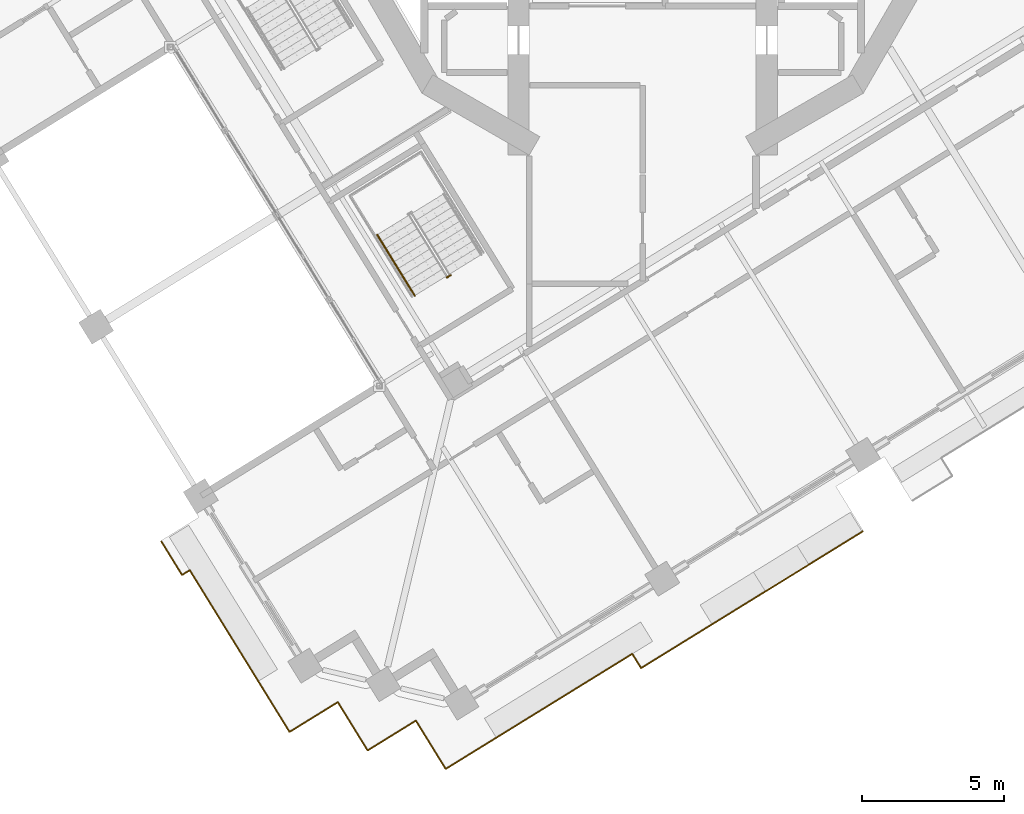
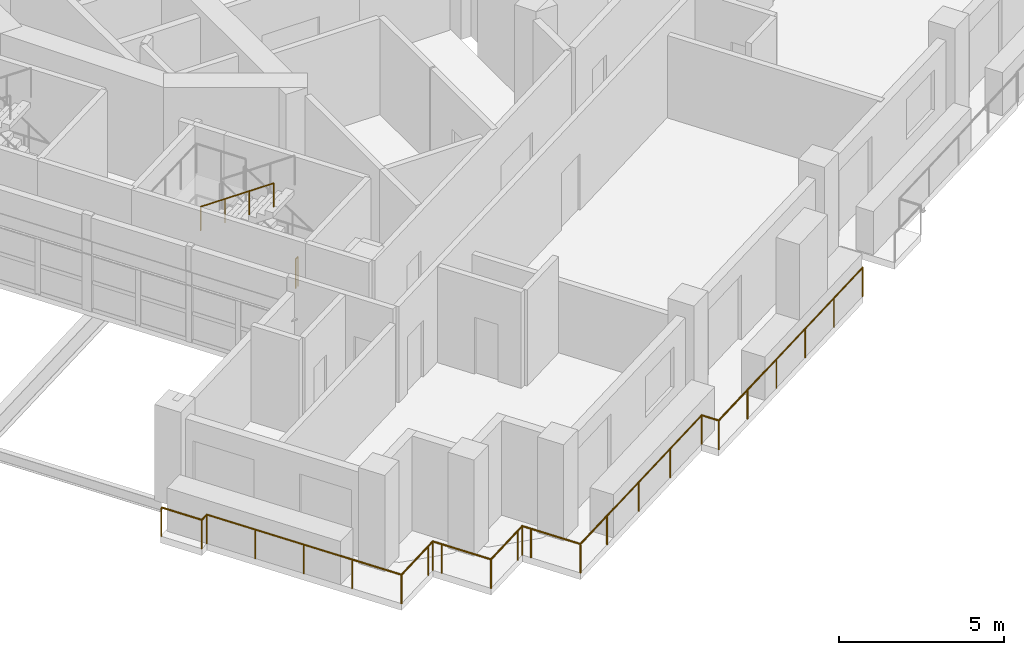
# One storey, part 15 of 22: 4 railings.
"""IFC4 building model written with IfcOpenShell, lengths in metres."""

from ifc_helpers import new_model, si_unit, direction, frame, origin, origin_2d, place, context, subcontext, project, spatial, circle, extrude, material, type_object, element, save


model = new_model("IFC4")

# Units and contexts
model_context = context("Model", 3, precision=1e-05, world=origin(), true_north=direction((0.0, 1.0)))
body_context = subcontext(model_context, "Body", "Model", "MODEL_VIEW")
ifc_project = project(units=[si_unit("LENGTHUNIT", "METRE"), si_unit("AREAUNIT", "SQUARE_METRE"), si_unit("VOLUMEUNIT", "CUBIC_METRE"), si_unit("PLANEANGLEUNIT", "RADIAN"), si_unit("MASSUNIT", "GRAM", prefix="KILO")], contexts=[model_context])

# Site, building, storey
site_placement = place(None, origin())
site = spatial("IfcSite", under=ifc_project, at=site_placement, CompositionType="ELEMENT")
building_placement = place(site_placement, origin())
building = spatial("IfcBuilding", under=site, at=building_placement, Name="Cantera Rosa Tower", CompositionType="ELEMENT")
storey_placement = place(building_placement, frame((0.0, 0.0, 166.60009765625)))
storey = spatial("IfcBuildingStorey", under=building, at=storey_placement, Name="L36", CompositionType="ELEMENT", Elevation=166.60009765625)

# Railings
ifc_material_1 = material(Name="Stainless steel and laminated glass", Category="steel")
railing_type_1 = type_object("IfcRailingType", Name="GUARD 1100", PredefinedType="BALUSTRADE", material=ifc_material_1)
railing_1_placement = place(storey_placement, frame((-10.74658203125, -29.245849609375, 0.0)))
element("IfcRailing", 1, at=railing_1_placement, inside=storey, type_object=railing_type_1, Name="GUARD L36-1", PredefinedType="BALUSTRADE", context=body_context, shape_type="SweptSolid", body=[
    extrude(circle(Radius=0.030029296875, at=origin_2d()), frame((0.0, 0.0, 1.070068359375), z_axis=(-0.85118298814, -0.524869051004, 0.0), x_axis=(0.524869051004, -0.85118298814, 0.0)), (0.0, 0.0, 1.0), 0.300048828125),
    extrude(circle(Radius=0.030029296875, at=origin_2d()), frame((-0.25537109375, -0.157470703125, 1.070068359375), z_axis=(-0.851066052965, -0.525058638144, 0.0), x_axis=(0.525058638144, -0.851066052965, 0.0)), (0.0, 0.0, 1.0), 1.699951171875),
    extrude(circle(Radius=0.030029296875, at=origin_2d()), frame((-1.7021484375, -1.050048828125, 1.070068359375), z_axis=(-0.524994468487, 0.851105638601, 0.0), x_axis=(-0.851105638601, -0.524994468487, 0.0)), (0.0, 0.0, 1.0), 1.7001953125),
    extrude(circle(Radius=0.030029296875, at=origin_2d()), frame((-2.5947265625, 0.39697265625, 1.070068359375), z_axis=(-0.524980117429, 0.851114490715, 0.0), x_axis=(-0.851114490715, -0.524980117429, 0.0)), (0.0, 0.0, 1.0), 4.998291015625),
    extrude(circle(Radius=0.030029296875, at=origin_2d()), frame((-5.21875, 4.651123046875, 1.070068359375), z_axis=(-0.851266981661, -0.524732813852, 0.0), x_axis=(0.524732813852, -0.851266981661, 0.0)), (0.0, 0.0, 1.0), 0.321533203125),
    extrude(circle(Radius=0.030029296875, at=origin_2d()), frame((-5.492431640625, 4.482421875, 1.070068359375), z_axis=(-0.524958614505, 0.851127753664, 0.0), x_axis=(-0.851127753664, -0.524958614505, 0.0)), (0.0, 0.0, 1.0), 1.391357421875),
    extrude(circle(Radius=0.02490234375, at=origin_2d()), origin(), (0.0, 0.0, 1.0), 1.0400390625),
    extrude(circle(Radius=0.02490234375, at=origin_2d()), frame((-0.25537109375, -0.157470703125, 0.0)), (0.0, 0.0, 1.0), 1.0400390625),
    extrude(circle(Radius=0.02490234375, at=origin_2d()), frame((-1.7021484375, -1.050048828125, 0.0)), (0.0, 0.0, 1.0), 1.0400390625),
    extrude(circle(Radius=0.02490234375, at=origin_2d()), frame((-2.5947265625, 0.39697265625, 0.0)), (0.0, 0.0, 1.0), 1.0400390625),
    extrude(circle(Radius=0.02490234375, at=origin_2d()), frame((-3.469482421875, 1.81494140625, 0.0)), (0.0, 0.0, 1.0), 1.0400390625),
    extrude(circle(Radius=0.02490234375, at=origin_2d()), frame((-4.343994140625, 3.233154296875, 0.0)), (0.0, 0.0, 1.0), 1.0400390625),
    extrude(circle(Radius=0.02490234375, at=origin_2d()), frame((-5.21875, 4.651123046875, 0.0)), (0.0, 0.0, 1.0), 1.0400390625),
    extrude(circle(Radius=0.02490234375, at=origin_2d()), frame((-5.492431640625, 4.482421875, 0.0)), (0.0, 0.0, 1.0), 1.0400390625),
    extrude(circle(Radius=0.02490234375, at=origin_2d()), frame((-6.222900390625, 5.666748046875, 0.0)), (0.0, 0.0, 1.0), 1.0400390625),
])
railing_2_placement = place(storey_placement, frame((7.758056640625, -23.225830078125, 0.0)))
element("IfcRailing", 2, at=railing_2_placement, inside=storey, type_object=railing_type_1, Name="GUARD L36-2", PredefinedType="BALUSTRADE", context=body_context, shape_type="SweptSolid", body=[
    extrude(circle(Radius=0.030029296875, at=origin_2d()), frame((0.0, 0.0, 1.070068359375), z_axis=(-0.851116410295, -0.524977005331, 0.0), x_axis=(0.524977005331, -0.851116410295, 0.0)), (0.0, 0.0, 1.0), 9.1806640625),
    extrude(circle(Radius=0.030029296875, at=origin_2d()), frame((-7.813720703125, -4.819580078125, 1.070068359375), z_axis=(-0.525272898225, 0.850933829619, 0.0), x_axis=(-0.850933829619, -0.525272898225, 0.0)), (0.0, 0.0, 1.0), 0.5908203125),
    extrude(circle(Radius=0.030029296875, at=origin_2d()), frame((-8.1240234375, -4.31689453125, 1.070068359375), z_axis=(-0.851111466066, -0.524985021054, 0.0), x_axis=(0.524985021054, -0.851111466066, 0.0)), (0.0, 0.0, 1.0), 6.029296875),
    extrude(circle(Radius=0.030029296875, at=origin_2d()), frame((-13.255615234375, -7.482177734375, 1.070068359375), z_axis=(-0.851130227454, -0.524954603669, 0.0), x_axis=(0.524954603669, -0.851130227454, 0.0)), (0.0, 0.0, 1.0), 1.699951171875),
    extrude(circle(Radius=0.030029296875, at=origin_2d()), frame((-14.702392578125, -8.37451171875, 1.070068359375), z_axis=(-0.525058638144, 0.851066052965, 0.0), x_axis=(-0.851066052965, -0.525058638144, 0.0)), (0.0, 0.0, 1.0), 1.699951171875),
    extrude(circle(Radius=0.030029296875, at=origin_2d()), frame((-15.594970703125, -6.927734375, 1.070068359375), z_axis=(-0.524869051004, 0.85118298814, 0.0), x_axis=(-0.85118298814, -0.524869051004, 0.0)), (0.0, 0.0, 1.0), 0.300048828125),
    extrude(circle(Radius=0.030029296875, at=origin_2d()), frame((-15.75244140625, -6.67236328125, 1.070068359375), z_axis=(-0.85118298814, -0.524869051004, 0.0), x_axis=(0.524869051004, -0.85118298814, 0.0)), (0.0, 0.0, 1.0), 0.300048828125),
    extrude(circle(Radius=0.030029296875, at=origin_2d()), frame((-16.0078125, -6.829833984375, 1.070068359375), z_axis=(-0.851066052965, -0.525058638144, 0.0), x_axis=(0.525058638144, -0.851066052965, 0.0)), (0.0, 0.0, 1.0), 1.699951171875),
    extrude(circle(Radius=0.030029296875, at=origin_2d()), frame((-17.45458984375, -7.722412109375, 1.070068359375), z_axis=(-0.524994468487, 0.851105638601, 0.0), x_axis=(-0.851105638601, -0.524994468487, 0.0)), (0.0, 0.0, 1.0), 1.7001953125),
    extrude(circle(Radius=0.030029296875, at=origin_2d()), frame((-18.34716796875, -6.275390625, 1.070068359375), z_axis=(-0.524869051004, 0.85118298814, 0.0), x_axis=(-0.85118298814, -0.524869051004, 0.0)), (0.0, 0.0, 1.0), 0.300048828125),
    extrude(circle(Radius=0.02490234375, at=origin_2d()), origin(), (0.0, 0.0, 1.0), 1.0400390625),
    extrude(circle(Radius=0.02490234375, at=origin_2d()), frame((-1.562744140625, -0.9638671875, 0.0)), (0.0, 0.0, 1.0), 1.0400390625),
    extrude(circle(Radius=0.02490234375, at=origin_2d()), frame((-3.12548828125, -1.927734375, 0.0)), (0.0, 0.0, 1.0), 1.0400390625),
    extrude(circle(Radius=0.02490234375, at=origin_2d()), frame((-4.688232421875, -2.891845703125, 0.0)), (0.0, 0.0, 1.0), 1.0400390625),
    extrude(circle(Radius=0.02490234375, at=origin_2d()), frame((-6.2509765625, -3.855712890625, 0.0)), (0.0, 0.0, 1.0), 1.0400390625),
    extrude(circle(Radius=0.02490234375, at=origin_2d()), frame((-7.813720703125, -4.819580078125, 0.0)), (0.0, 0.0, 1.0), 1.0400390625),
    extrude(circle(Radius=0.02490234375, at=origin_2d()), frame((-8.1240234375, -4.31689453125, 0.0)), (0.0, 0.0, 1.0), 1.0400390625),
    extrude(circle(Radius=0.02490234375, at=origin_2d()), frame((-9.83447265625, -5.3720703125, 0.0)), (0.0, 0.0, 1.0), 1.0400390625),
    extrude(circle(Radius=0.02490234375, at=origin_2d()), frame((-11.545166015625, -6.427001953125, 0.0)), (0.0, 0.0, 1.0), 1.0400390625),
    extrude(circle(Radius=0.02490234375, at=origin_2d()), frame((-13.255615234375, -7.482177734375, 0.0)), (0.0, 0.0, 1.0), 1.0400390625),
    extrude(circle(Radius=0.02490234375, at=origin_2d()), frame((-14.702392578125, -8.37451171875, 0.0)), (0.0, 0.0, 1.0), 1.0400390625),
    extrude(circle(Radius=0.02490234375, at=origin_2d()), frame((-15.594970703125, -6.927734375, 0.0)), (0.0, 0.0, 1.0), 1.0400390625),
    extrude(circle(Radius=0.02490234375, at=origin_2d()), frame((-15.75244140625, -6.67236328125, 0.0)), (0.0, 0.0, 1.0), 1.0400390625),
    extrude(circle(Radius=0.02490234375, at=origin_2d()), frame((-16.0078125, -6.829833984375, 0.0)), (0.0, 0.0, 1.0), 1.0400390625),
    extrude(circle(Radius=0.02490234375, at=origin_2d()), frame((-17.45458984375, -7.722412109375, 0.0)), (0.0, 0.0, 1.0), 1.0400390625),
    extrude(circle(Radius=0.02490234375, at=origin_2d()), frame((-18.34716796875, -6.275390625, 0.0)), (0.0, 0.0, 1.0), 1.0400390625),
    extrude(circle(Radius=0.02490234375, at=origin_2d()), frame((-18.504638671875, -6.02001953125, 0.0)), (0.0, 0.0, 1.0), 1.0400390625),
])
ifc_material_2 = material(Name="Steel S355J2 (EN 10025-2)", Category="steel")
railing_type_2 = type_object("IfcRailingType", Name="STAIR GUARD 1100", PredefinedType="GUARDRAIL", material=ifc_material_2)
railing_3_placement = place(storey_placement, frame((-6.77490234375, -14.19482421875, 0.0)))
element("IfcRailing", 3, at=railing_3_placement, inside=storey, type_object=railing_type_2, Name="L36 ST-33 stair guard 3", PredefinedType="GUARDRAIL", context=body_context, shape_type="SweptSolid", body=[
    extrude(circle(Radius=0.02392578125, at=origin_2d()), frame((0.0, 0.0, 1.076171875), z_axis=(-0.851546489876, -0.524279100842, 0.0), x_axis=(0.524279100842, -0.851546489876, 0.0)), (0.0, 0.0, 1.0), 0.14990234375),
    extrude(circle(Radius=0.02099609375, at=origin_2d()), origin(), (0.0, 0.0, 1.0), 1.052001953125),
    extrude(circle(Radius=0.02099609375, at=origin_2d()), frame((-0.127685546875, -0.07861328125, 0.0)), (0.0, 0.0, 1.0), 1.052001953125),
])
ifc_material_3 = material(Name="Steel S355J2 (EN 10025-2)", Category="steel")
railing_type_3 = type_object("IfcRailingType", Name="STAIR HANDRAIL 900", PredefinedType="HANDRAIL", material=ifc_material_3)
railing_4_placement = place(storey_placement, frame((-9.358154296875, -12.7685546875, 2.08984375)))
element("IfcRailing", 4, at=railing_4_placement, inside=storey, type_object=railing_type_3, Name="L36 ST-33 stair handrail 2", PredefinedType="HANDRAIL", context=body_context, shape_type="SweptSolid", body=[
    extrude(circle(Radius=0.02392578125, at=origin_2d()), frame((0.0, 0.0, 0.8759765625), z_axis=(0.434362572038, -0.70429590169, 0.561512634654), x_axis=(0.851145618652, 0.524929648476, 0.0)), (0.0, 0.0, 1.0), 3.045166015625),
    extrude(circle(Radius=0.02099609375, at=origin_2d()), origin(), (0.0, 0.0, 1.0), 0.851806640625),
    extrude(circle(Radius=0.02099609375, at=origin_2d()), frame((0.44091796875, -0.71484375, 0.570068359375)), (0.0, 0.0, 1.0), 0.851806640625),
    extrude(circle(Radius=0.02099609375, at=origin_2d()), frame((0.8818359375, -1.429931640625, 1.139892578125)), (0.0, 0.0, 1.0), 0.851806640625),
    extrude(circle(Radius=0.02099609375, at=origin_2d()), frame((1.32275390625, -2.144775390625, 1.7099609375)), (0.0, 0.0, 1.0), 0.851806640625),
])

save(model, "model.ifc")
